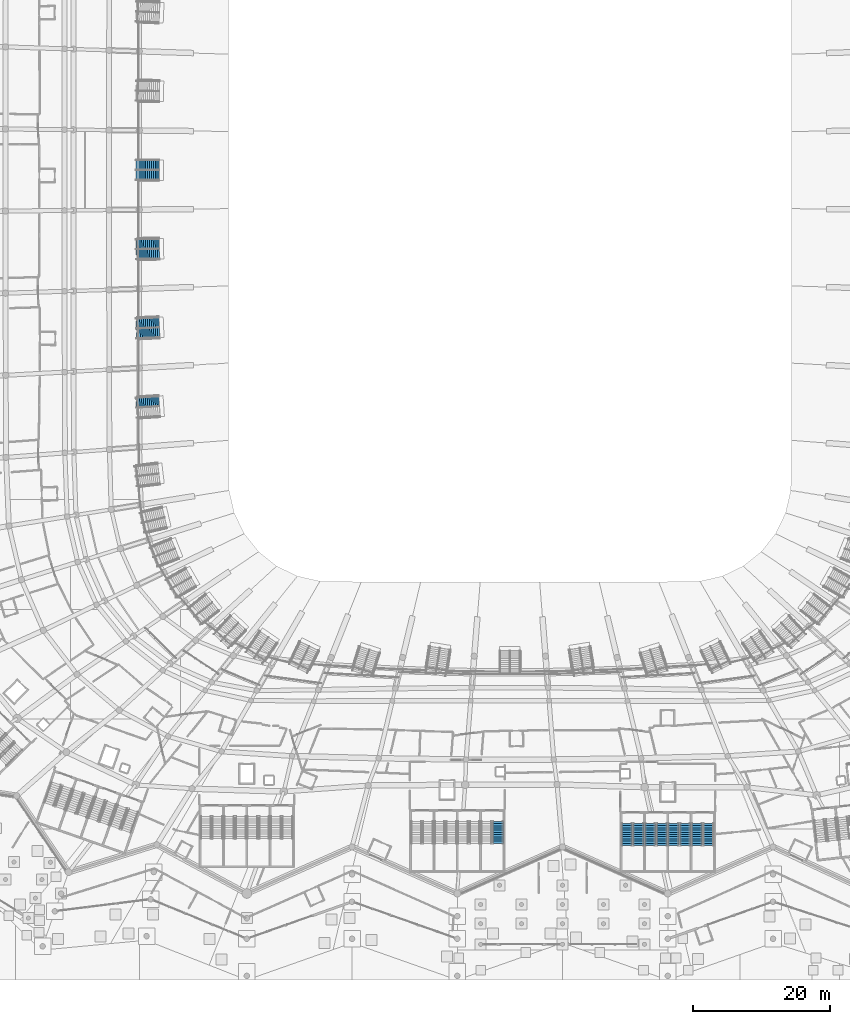
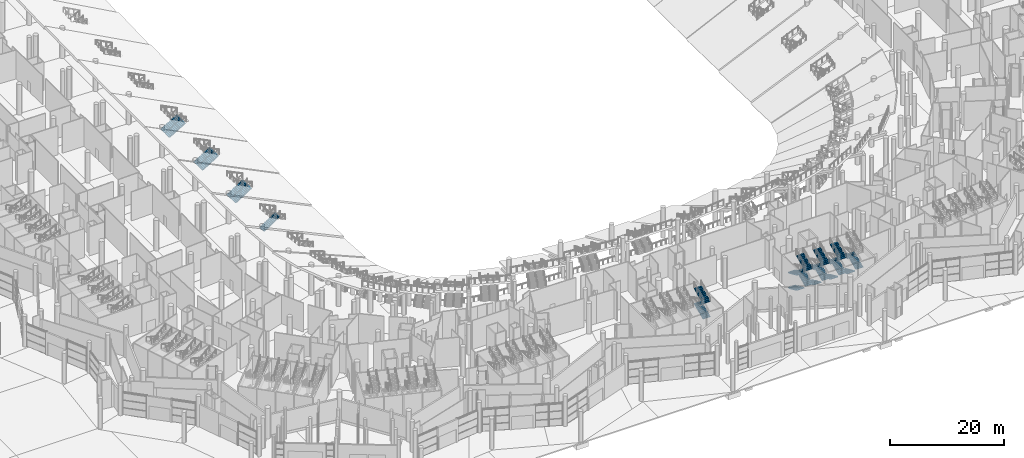
# One storey, part 165 of 255: 24 stair flights, 9 elements without a shape of their own.
"""IFC4 building model written with IfcOpenShell, lengths in metres."""

from ifc_helpers import new_model, si_unit, direction, frame, origin, place, context, subcontext, project, spatial, polyline, outline, extrude, material, type_object, element, aggregate, save


model = new_model("IFC4")

# Units and contexts
model_context = context("Model", 3, precision=1e-05, world=origin(), true_north=direction((0.0, 1.0)))
body_context = subcontext(model_context, "Body", "Model", "MODEL_VIEW")
ifc_project = project(units=[si_unit("LENGTHUNIT", "METRE"), si_unit("AREAUNIT", "SQUARE_METRE"), si_unit("VOLUMEUNIT", "CUBIC_METRE"), si_unit("PLANEANGLEUNIT", "RADIAN"), si_unit("MASSUNIT", "GRAM", prefix="KILO")], contexts=[model_context])

# Site, building, storey
site_placement = place(None, origin())
site = spatial("IfcSite", under=ifc_project, at=site_placement, CompositionType="ELEMENT")
building_placement = place(site_placement, origin())
building = spatial("IfcBuilding", under=site, at=building_placement, Name="Meseta Stadium", CompositionType="ELEMENT")
storey_placement = place(building_placement, origin())
storey = spatial("IfcBuildingStorey", under=building, at=storey_placement, Name="L00", CompositionType="ELEMENT", Elevation=0.0)

# Stair, stair flights
ifc_material_1 = material(Name="Concrete C40/50", Category="concrete")
stair_type_1 = type_object("IfcStairType", Name="Exit stair 4 flights 148 mm risers", PredefinedType="HALF_TURN_STAIR", material=ifc_material_1)
stair_1_placement = place(storey_placement, origin())
stair_1 = element("IfcStair", 1, at=stair_1_placement, inside=storey, type_object=stair_type_1, Name="ST96 L00", PredefinedType="HALF_TURN_STAIR")
ifc_material_2 = material(Name="Concrete C40/50", Category="concrete")
stair_flight_type_1 = type_object("IfcStairFlightType", Name="Exit stair flight 148 mm risers, 4 per storey", PredefinedType="STRAIGHT", material=ifc_material_2)
stair_flight_1_placement = place(storey_placement, frame((-1.716552734375, -98.10009765625, 1.625), z_axis=(0.0, 0.0, 1.0), x_axis=(0.0, 1.0, 0.0)))
stair_flight_1 = element("IfcStairFlight", 2, at=stair_flight_1_placement, type_object=stair_flight_type_1, Name="ST96 L00 flight 2", NumberOfRisers=11, NumberOfTreads=10, PredefinedType="STRAIGHT", RiserHeight=0.147727273, TreadLength=0.32, context=body_context, shape_type="SweptSolid", body=[
    extrude(outline(polyline([(0.0, 0.0), (0.0, 0.147705078125), (0.320068359375, 0.147705078125), (0.320068359375, 0.29541015625), (0.639892578125, 0.29541015625), (0.639892578125, 0.443115234375), (0.9599609375, 0.443115234375), (0.9599609375, 0.5908203125), (1.280029296875, 0.5908203125), (1.280029296875, 0.738525390625), (1.60009765625, 0.738525390625), (1.60009765625, 0.886474609375), (1.919921875, 0.886474609375), (1.919921875, 1.0341796875), (2.239990234375, 1.0341796875), (2.239990234375, 1.181884765625), (2.56005859375, 1.181884765625), (2.56005859375, 1.32958984375), (2.8798828125, 1.32958984375), (2.8798828125, 1.477294921875), (3.199951171875, 1.477294921875), (3.199951171875, 1.312255859375), (0.357666015625, 0.0), (0.0, 0.0)])), frame((0.0, 0.75, 0.0), z_axis=(0.0, -1.0, 0.0), x_axis=(1.0, 0.0, 0.0)), (0.0, 0.0, 1.0), 1.5),
])
stair_flight_2_placement = place(storey_placement, frame((-1.716552734375, -98.10009765625, 4.875), z_axis=(0.0, 0.0, 1.0), x_axis=(0.0, 1.0, 0.0)))
stair_flight_2 = element("IfcStairFlight", 3, at=stair_flight_2_placement, type_object=stair_flight_type_1, Name="ST96 L00 flight 4", NumberOfRisers=11, NumberOfTreads=10, PredefinedType="STRAIGHT", RiserHeight=0.147727273, TreadLength=0.32, context=body_context, shape_type="SweptSolid", body=[
    extrude(outline(polyline([(0.0, 0.0), (0.0, 0.147705078125), (0.320068359375, 0.147705078125), (0.320068359375, 0.29541015625), (0.639892578125, 0.29541015625), (0.639892578125, 0.443115234375), (0.9599609375, 0.443115234375), (0.9599609375, 0.5908203125), (1.280029296875, 0.5908203125), (1.280029296875, 0.738525390625), (1.60009765625, 0.738525390625), (1.60009765625, 0.886474609375), (1.919921875, 0.886474609375), (1.919921875, 1.0341796875), (2.239990234375, 1.0341796875), (2.239990234375, 1.181884765625), (2.56005859375, 1.181884765625), (2.56005859375, 1.32958984375), (2.8798828125, 1.32958984375), (2.8798828125, 1.477294921875), (3.199951171875, 1.477294921875), (3.199951171875, 1.312255859375), (0.357666015625, 0.0), (0.0, 0.0)])), frame((0.0, 0.75, 0.0), z_axis=(0.0, -1.0, 0.0), x_axis=(1.0, 0.0, 0.0)), (0.0, 0.0, 1.0), 1.5),
])
aggregate(stair_1, [stair_flight_1, stair_flight_2])

stair_2_placement = place(storey_placement, origin())
stair_2 = element("IfcStair", 4, at=stair_2_placement, inside=storey, type_object=stair_type_1, Name="ST97 L00", PredefinedType="HALF_TURN_STAIR")
stair_flight_3_placement = place(storey_placement, frame((17.050048828125, -95.199951171875, 0.0), z_axis=(0.0, 0.0, 1.0), x_axis=(0.0, -1.0, 0.0)))
stair_flight_3 = element("IfcStairFlight", 5, at=stair_flight_3_placement, type_object=stair_flight_type_1, Name="ST97 L00 flight 1", NumberOfRisers=11, NumberOfTreads=10, PredefinedType="STRAIGHT", RiserHeight=0.147727273, TreadLength=0.32, context=body_context, shape_type="SweptSolid", body=[
    extrude(outline(polyline([(0.0, 0.0), (0.0, 0.147705078125), (0.320068359375, 0.147705078125), (0.320068359375, 0.29541015625), (0.639892578125, 0.29541015625), (0.639892578125, 0.443115234375), (0.9599609375, 0.443115234375), (0.9599609375, 0.5908203125), (1.280029296875, 0.5908203125), (1.280029296875, 0.738525390625), (1.60009765625, 0.738525390625), (1.60009765625, 0.886474609375), (1.919921875, 0.886474609375), (1.919921875, 1.0341796875), (2.239990234375, 1.0341796875), (2.239990234375, 1.181884765625), (2.56005859375, 1.181884765625), (2.56005859375, 1.32958984375), (2.8798828125, 1.32958984375), (2.8798828125, 1.477294921875), (3.199951171875, 1.477294921875), (3.199951171875, 1.312255859375), (0.357666015625, 0.0), (0.0, 0.0)])), frame((0.0, 0.75, 0.0), z_axis=(0.0, -1.0, 0.0), x_axis=(1.0, 0.0, 0.0)), (0.0, 0.0, 1.0), 1.5),
])
stair_flight_4_placement = place(storey_placement, frame((18.75, -98.39990234375, 1.625), z_axis=(0.0, 0.0, 1.0), x_axis=(0.0, 1.0, 0.0)))
stair_flight_4 = element("IfcStairFlight", 6, at=stair_flight_4_placement, type_object=stair_flight_type_1, Name="ST97 L00 flight 2", NumberOfRisers=11, NumberOfTreads=10, PredefinedType="STRAIGHT", RiserHeight=0.147727273, TreadLength=0.32, context=body_context, shape_type="SweptSolid", body=[
    extrude(outline(polyline([(0.0, 0.0), (0.0, 0.147705078125), (0.320068359375, 0.147705078125), (0.320068359375, 0.29541015625), (0.639892578125, 0.29541015625), (0.639892578125, 0.443115234375), (0.9599609375, 0.443115234375), (0.9599609375, 0.5908203125), (1.280029296875, 0.5908203125), (1.280029296875, 0.738525390625), (1.60009765625, 0.738525390625), (1.60009765625, 0.886474609375), (1.919921875, 0.886474609375), (1.919921875, 1.0341796875), (2.239990234375, 1.0341796875), (2.239990234375, 1.181884765625), (2.56005859375, 1.181884765625), (2.56005859375, 1.32958984375), (2.8798828125, 1.32958984375), (2.8798828125, 1.477294921875), (3.199951171875, 1.477294921875), (3.199951171875, 1.312255859375), (0.357666015625, 0.0), (0.0, 0.0)])), frame((0.0, 0.75, 0.0), z_axis=(0.0, -1.0, 0.0), x_axis=(1.0, 0.0, 0.0)), (0.0, 0.0, 1.0), 1.5),
])
stair_flight_5_placement = place(storey_placement, frame((17.050048828125, -95.199951171875, 3.25), z_axis=(0.0, 0.0, 1.0), x_axis=(0.0, -1.0, 0.0)))
stair_flight_5 = element("IfcStairFlight", 7, at=stair_flight_5_placement, type_object=stair_flight_type_1, Name="ST97 L00 flight 3", NumberOfRisers=11, NumberOfTreads=10, PredefinedType="STRAIGHT", RiserHeight=0.147727273, TreadLength=0.32, context=body_context, shape_type="SweptSolid", body=[
    extrude(outline(polyline([(0.0, 0.0), (0.0, 0.147705078125), (0.320068359375, 0.147705078125), (0.320068359375, 0.29541015625), (0.639892578125, 0.29541015625), (0.639892578125, 0.443115234375), (0.9599609375, 0.443115234375), (0.9599609375, 0.5908203125), (1.280029296875, 0.5908203125), (1.280029296875, 0.738525390625), (1.60009765625, 0.738525390625), (1.60009765625, 0.886474609375), (1.919921875, 0.886474609375), (1.919921875, 1.0341796875), (2.239990234375, 1.0341796875), (2.239990234375, 1.181884765625), (2.56005859375, 1.181884765625), (2.56005859375, 1.32958984375), (2.8798828125, 1.32958984375), (2.8798828125, 1.477294921875), (3.199951171875, 1.477294921875), (3.199951171875, 1.312255859375), (0.357666015625, 0.0), (0.0, 0.0)])), frame((0.0, 0.75, 0.0), z_axis=(0.0, -1.0, 0.0), x_axis=(1.0, 0.0, 0.0)), (0.0, 0.0, 1.0), 1.5),
])
stair_flight_6_placement = place(storey_placement, frame((18.75, -98.39990234375, 4.875), z_axis=(0.0, 0.0, 1.0), x_axis=(0.0, 1.0, 0.0)))
stair_flight_6 = element("IfcStairFlight", 8, at=stair_flight_6_placement, type_object=stair_flight_type_1, Name="ST97 L00 flight 4", NumberOfRisers=11, NumberOfTreads=10, PredefinedType="STRAIGHT", RiserHeight=0.147727273, TreadLength=0.32, context=body_context, shape_type="SweptSolid", body=[
    extrude(outline(polyline([(0.0, 0.0), (0.0, 0.147705078125), (0.320068359375, 0.147705078125), (0.320068359375, 0.29541015625), (0.639892578125, 0.29541015625), (0.639892578125, 0.443115234375), (0.9599609375, 0.443115234375), (0.9599609375, 0.5908203125), (1.280029296875, 0.5908203125), (1.280029296875, 0.738525390625), (1.60009765625, 0.738525390625), (1.60009765625, 0.886474609375), (1.919921875, 0.886474609375), (1.919921875, 1.0341796875), (2.239990234375, 1.0341796875), (2.239990234375, 1.181884765625), (2.56005859375, 1.181884765625), (2.56005859375, 1.32958984375), (2.8798828125, 1.32958984375), (2.8798828125, 1.477294921875), (3.199951171875, 1.477294921875), (3.199951171875, 1.312255859375), (0.357666015625, 0.0), (0.0, 0.0)])), frame((0.0, 0.75, 0.0), z_axis=(0.0, -1.0, 0.0), x_axis=(1.0, 0.0, 0.0)), (0.0, 0.0, 1.0), 1.5),
])
aggregate(stair_2, [stair_flight_3, stair_flight_4, stair_flight_5, stair_flight_6])

stair_3_placement = place(storey_placement, origin())
stair_3 = element("IfcStair", 9, at=stair_3_placement, inside=storey, type_object=stair_type_1, Name="ST98 L00", PredefinedType="HALF_TURN_STAIR")
stair_flight_7_placement = place(storey_placement, frame((20.449951171875, -95.199951171875, 0.0), z_axis=(0.0, 0.0, 1.0), x_axis=(0.0, -1.0, 0.0)))
stair_flight_7 = element("IfcStairFlight", 10, at=stair_flight_7_placement, type_object=stair_flight_type_1, Name="ST98 L00 flight 1", NumberOfRisers=11, NumberOfTreads=10, PredefinedType="STRAIGHT", RiserHeight=0.147727273, TreadLength=0.32, context=body_context, shape_type="SweptSolid", body=[
    extrude(outline(polyline([(0.0, 0.0), (0.0, 0.147705078125), (0.320068359375, 0.147705078125), (0.320068359375, 0.29541015625), (0.639892578125, 0.29541015625), (0.639892578125, 0.443115234375), (0.9599609375, 0.443115234375), (0.9599609375, 0.5908203125), (1.280029296875, 0.5908203125), (1.280029296875, 0.738525390625), (1.60009765625, 0.738525390625), (1.60009765625, 0.886474609375), (1.919921875, 0.886474609375), (1.919921875, 1.0341796875), (2.239990234375, 1.0341796875), (2.239990234375, 1.181884765625), (2.56005859375, 1.181884765625), (2.56005859375, 1.32958984375), (2.8798828125, 1.32958984375), (2.8798828125, 1.477294921875), (3.199951171875, 1.477294921875), (3.199951171875, 1.312255859375), (0.357666015625, 0.0), (0.0, 0.0)])), frame((0.0, 0.75, 0.0), z_axis=(0.0, -1.0, 0.0), x_axis=(1.0, 0.0, 0.0)), (0.0, 0.0, 1.0), 1.5),
])
stair_flight_8_placement = place(storey_placement, frame((22.14990234375, -98.39990234375, 1.625), z_axis=(0.0, 0.0, 1.0), x_axis=(0.0, 1.0, 0.0)))
stair_flight_8 = element("IfcStairFlight", 11, at=stair_flight_8_placement, type_object=stair_flight_type_1, Name="ST98 L00 flight 2", NumberOfRisers=11, NumberOfTreads=10, PredefinedType="STRAIGHT", RiserHeight=0.147727273, TreadLength=0.32, context=body_context, shape_type="SweptSolid", body=[
    extrude(outline(polyline([(0.0, 0.0), (0.0, 0.147705078125), (0.320068359375, 0.147705078125), (0.320068359375, 0.29541015625), (0.639892578125, 0.29541015625), (0.639892578125, 0.443115234375), (0.9599609375, 0.443115234375), (0.9599609375, 0.5908203125), (1.280029296875, 0.5908203125), (1.280029296875, 0.738525390625), (1.60009765625, 0.738525390625), (1.60009765625, 0.886474609375), (1.919921875, 0.886474609375), (1.919921875, 1.0341796875), (2.239990234375, 1.0341796875), (2.239990234375, 1.181884765625), (2.56005859375, 1.181884765625), (2.56005859375, 1.32958984375), (2.8798828125, 1.32958984375), (2.8798828125, 1.477294921875), (3.199951171875, 1.477294921875), (3.199951171875, 1.312255859375), (0.357666015625, 0.0), (0.0, 0.0)])), frame((0.0, 0.75, 0.0), z_axis=(0.0, -1.0, 0.0), x_axis=(1.0, 0.0, 0.0)), (0.0, 0.0, 1.0), 1.5),
])
stair_flight_9_placement = place(storey_placement, frame((20.449951171875, -95.199951171875, 3.25), z_axis=(0.0, 0.0, 1.0), x_axis=(0.0, -1.0, 0.0)))
stair_flight_9 = element("IfcStairFlight", 12, at=stair_flight_9_placement, type_object=stair_flight_type_1, Name="ST98 L00 flight 3", NumberOfRisers=11, NumberOfTreads=10, PredefinedType="STRAIGHT", RiserHeight=0.147727273, TreadLength=0.32, context=body_context, shape_type="SweptSolid", body=[
    extrude(outline(polyline([(0.0, 0.0), (0.0, 0.147705078125), (0.320068359375, 0.147705078125), (0.320068359375, 0.29541015625), (0.639892578125, 0.29541015625), (0.639892578125, 0.443115234375), (0.9599609375, 0.443115234375), (0.9599609375, 0.5908203125), (1.280029296875, 0.5908203125), (1.280029296875, 0.738525390625), (1.60009765625, 0.738525390625), (1.60009765625, 0.886474609375), (1.919921875, 0.886474609375), (1.919921875, 1.0341796875), (2.239990234375, 1.0341796875), (2.239990234375, 1.181884765625), (2.56005859375, 1.181884765625), (2.56005859375, 1.32958984375), (2.8798828125, 1.32958984375), (2.8798828125, 1.477294921875), (3.199951171875, 1.477294921875), (3.199951171875, 1.312255859375), (0.357666015625, 0.0), (0.0, 0.0)])), frame((0.0, 0.75, 0.0), z_axis=(0.0, -1.0, 0.0), x_axis=(1.0, 0.0, 0.0)), (0.0, 0.0, 1.0), 1.5),
])
stair_flight_10_placement = place(storey_placement, frame((22.14990234375, -98.39990234375, 4.875), z_axis=(0.0, 0.0, 1.0), x_axis=(0.0, 1.0, 0.0)))
stair_flight_10 = element("IfcStairFlight", 13, at=stair_flight_10_placement, type_object=stair_flight_type_1, Name="ST98 L00 flight 4", NumberOfRisers=11, NumberOfTreads=10, PredefinedType="STRAIGHT", RiserHeight=0.147727273, TreadLength=0.32, context=body_context, shape_type="SweptSolid", body=[
    extrude(outline(polyline([(0.0, 0.0), (0.0, 0.147705078125), (0.320068359375, 0.147705078125), (0.320068359375, 0.29541015625), (0.639892578125, 0.29541015625), (0.639892578125, 0.443115234375), (0.9599609375, 0.443115234375), (0.9599609375, 0.5908203125), (1.280029296875, 0.5908203125), (1.280029296875, 0.738525390625), (1.60009765625, 0.738525390625), (1.60009765625, 0.886474609375), (1.919921875, 0.886474609375), (1.919921875, 1.0341796875), (2.239990234375, 1.0341796875), (2.239990234375, 1.181884765625), (2.56005859375, 1.181884765625), (2.56005859375, 1.32958984375), (2.8798828125, 1.32958984375), (2.8798828125, 1.477294921875), (3.199951171875, 1.477294921875), (3.199951171875, 1.312255859375), (0.357666015625, 0.0), (0.0, 0.0)])), frame((0.0, 0.75, 0.0), z_axis=(0.0, -1.0, 0.0), x_axis=(1.0, 0.0, 0.0)), (0.0, 0.0, 1.0), 1.5),
])
aggregate(stair_3, [stair_flight_7, stair_flight_8, stair_flight_9, stair_flight_10])

stair_4_placement = place(storey_placement, origin())
stair_4 = element("IfcStair", 14, at=stair_4_placement, inside=storey, type_object=stair_type_1, Name="ST99 L00", PredefinedType="HALF_TURN_STAIR")
stair_flight_11_placement = place(storey_placement, frame((23.85009765625, -95.199951171875, 0.0), z_axis=(0.0, 0.0, 1.0), x_axis=(0.0, -1.0, 0.0)))
stair_flight_11 = element("IfcStairFlight", 15, at=stair_flight_11_placement, type_object=stair_flight_type_1, Name="ST99 L00 flight 1", NumberOfRisers=11, NumberOfTreads=10, PredefinedType="STRAIGHT", RiserHeight=0.147727273, TreadLength=0.32, context=body_context, shape_type="SweptSolid", body=[
    extrude(outline(polyline([(0.0, 0.0), (0.0, 0.147705078125), (0.320068359375, 0.147705078125), (0.320068359375, 0.29541015625), (0.639892578125, 0.29541015625), (0.639892578125, 0.443115234375), (0.9599609375, 0.443115234375), (0.9599609375, 0.5908203125), (1.280029296875, 0.5908203125), (1.280029296875, 0.738525390625), (1.60009765625, 0.738525390625), (1.60009765625, 0.886474609375), (1.919921875, 0.886474609375), (1.919921875, 1.0341796875), (2.239990234375, 1.0341796875), (2.239990234375, 1.181884765625), (2.56005859375, 1.181884765625), (2.56005859375, 1.32958984375), (2.8798828125, 1.32958984375), (2.8798828125, 1.477294921875), (3.199951171875, 1.477294921875), (3.199951171875, 1.312255859375), (0.357666015625, 0.0), (0.0, 0.0)])), frame((0.0, 0.75, 0.0), z_axis=(0.0, -1.0, 0.0), x_axis=(1.0, 0.0, 0.0)), (0.0, 0.0, 1.0), 1.5),
])
stair_flight_12_placement = place(storey_placement, frame((25.550048828125, -98.39990234375, 1.625), z_axis=(0.0, 0.0, 1.0), x_axis=(0.0, 1.0, 0.0)))
stair_flight_12 = element("IfcStairFlight", 16, at=stair_flight_12_placement, type_object=stair_flight_type_1, Name="ST99 L00 flight 2", NumberOfRisers=11, NumberOfTreads=10, PredefinedType="STRAIGHT", RiserHeight=0.147727273, TreadLength=0.32, context=body_context, shape_type="SweptSolid", body=[
    extrude(outline(polyline([(0.0, 0.0), (0.0, 0.147705078125), (0.320068359375, 0.147705078125), (0.320068359375, 0.29541015625), (0.639892578125, 0.29541015625), (0.639892578125, 0.443115234375), (0.9599609375, 0.443115234375), (0.9599609375, 0.5908203125), (1.280029296875, 0.5908203125), (1.280029296875, 0.738525390625), (1.60009765625, 0.738525390625), (1.60009765625, 0.886474609375), (1.919921875, 0.886474609375), (1.919921875, 1.0341796875), (2.239990234375, 1.0341796875), (2.239990234375, 1.181884765625), (2.56005859375, 1.181884765625), (2.56005859375, 1.32958984375), (2.8798828125, 1.32958984375), (2.8798828125, 1.477294921875), (3.199951171875, 1.477294921875), (3.199951171875, 1.312255859375), (0.357666015625, 0.0), (0.0, 0.0)])), frame((0.0, 0.75, 0.0), z_axis=(0.0, -1.0, 0.0), x_axis=(1.0, 0.0, 0.0)), (0.0, 0.0, 1.0), 1.5),
])
stair_flight_13_placement = place(storey_placement, frame((23.85009765625, -95.199951171875, 3.25), z_axis=(0.0, 0.0, 1.0), x_axis=(0.0, -1.0, 0.0)))
stair_flight_13 = element("IfcStairFlight", 17, at=stair_flight_13_placement, type_object=stair_flight_type_1, Name="ST99 L00 flight 3", NumberOfRisers=11, NumberOfTreads=10, PredefinedType="STRAIGHT", RiserHeight=0.147727273, TreadLength=0.32, context=body_context, shape_type="SweptSolid", body=[
    extrude(outline(polyline([(0.0, 0.0), (0.0, 0.147705078125), (0.320068359375, 0.147705078125), (0.320068359375, 0.29541015625), (0.639892578125, 0.29541015625), (0.639892578125, 0.443115234375), (0.9599609375, 0.443115234375), (0.9599609375, 0.5908203125), (1.280029296875, 0.5908203125), (1.280029296875, 0.738525390625), (1.60009765625, 0.738525390625), (1.60009765625, 0.886474609375), (1.919921875, 0.886474609375), (1.919921875, 1.0341796875), (2.239990234375, 1.0341796875), (2.239990234375, 1.181884765625), (2.56005859375, 1.181884765625), (2.56005859375, 1.32958984375), (2.8798828125, 1.32958984375), (2.8798828125, 1.477294921875), (3.199951171875, 1.477294921875), (3.199951171875, 1.312255859375), (0.357666015625, 0.0), (0.0, 0.0)])), frame((0.0, 0.75, 0.0), z_axis=(0.0, -1.0, 0.0), x_axis=(1.0, 0.0, 0.0)), (0.0, 0.0, 1.0), 1.5),
])
stair_flight_14_placement = place(storey_placement, frame((25.550048828125, -98.39990234375, 4.875), z_axis=(0.0, 0.0, 1.0), x_axis=(0.0, 1.0, 0.0)))
stair_flight_14 = element("IfcStairFlight", 18, at=stair_flight_14_placement, type_object=stair_flight_type_1, Name="ST99 L00 flight 4", NumberOfRisers=11, NumberOfTreads=10, PredefinedType="STRAIGHT", RiserHeight=0.147727273, TreadLength=0.32, context=body_context, shape_type="SweptSolid", body=[
    extrude(outline(polyline([(0.0, 0.0), (0.0, 0.147705078125), (0.320068359375, 0.147705078125), (0.320068359375, 0.29541015625), (0.639892578125, 0.29541015625), (0.639892578125, 0.443115234375), (0.9599609375, 0.443115234375), (0.9599609375, 0.5908203125), (1.280029296875, 0.5908203125), (1.280029296875, 0.738525390625), (1.60009765625, 0.738525390625), (1.60009765625, 0.886474609375), (1.919921875, 0.886474609375), (1.919921875, 1.0341796875), (2.239990234375, 1.0341796875), (2.239990234375, 1.181884765625), (2.56005859375, 1.181884765625), (2.56005859375, 1.32958984375), (2.8798828125, 1.32958984375), (2.8798828125, 1.477294921875), (3.199951171875, 1.477294921875), (3.199951171875, 1.312255859375), (0.357666015625, 0.0), (0.0, 0.0)])), frame((0.0, 0.75, 0.0), z_axis=(0.0, -1.0, 0.0), x_axis=(1.0, 0.0, 0.0)), (0.0, 0.0, 1.0), 1.5),
])
aggregate(stair_4, [stair_flight_11, stair_flight_12, stair_flight_13, stair_flight_14])

stair_5_placement = place(storey_placement, origin())
stair_5 = element("IfcStair", 19, at=stair_5_placement, inside=storey, type_object=stair_type_1, Name="ST100 L00", PredefinedType="HALF_TURN_STAIR")
stair_flight_15_placement = place(storey_placement, frame((27.25, -95.199951171875, 0.0), z_axis=(0.0, 0.0, 1.0), x_axis=(0.0, -1.0, 0.0)))
stair_flight_15 = element("IfcStairFlight", 20, at=stair_flight_15_placement, type_object=stair_flight_type_1, Name="ST100 L00 flight 1", NumberOfRisers=11, NumberOfTreads=10, PredefinedType="STRAIGHT", RiserHeight=0.147727273, TreadLength=0.32, context=body_context, shape_type="SweptSolid", body=[
    extrude(outline(polyline([(0.0, 0.0), (0.0, 0.147705078125), (0.320068359375, 0.147705078125), (0.320068359375, 0.29541015625), (0.639892578125, 0.29541015625), (0.639892578125, 0.443115234375), (0.9599609375, 0.443115234375), (0.9599609375, 0.5908203125), (1.280029296875, 0.5908203125), (1.280029296875, 0.738525390625), (1.60009765625, 0.738525390625), (1.60009765625, 0.886474609375), (1.919921875, 0.886474609375), (1.919921875, 1.0341796875), (2.239990234375, 1.0341796875), (2.239990234375, 1.181884765625), (2.56005859375, 1.181884765625), (2.56005859375, 1.32958984375), (2.8798828125, 1.32958984375), (2.8798828125, 1.477294921875), (3.199951171875, 1.477294921875), (3.199951171875, 1.312255859375), (0.357666015625, 0.0), (0.0, 0.0)])), frame((0.0, 0.75, 0.0), z_axis=(0.0, -1.0, 0.0), x_axis=(1.0, 0.0, 0.0)), (0.0, 0.0, 1.0), 1.5),
])
stair_flight_16_placement = place(storey_placement, frame((28.949951171875, -98.39990234375, 1.625), z_axis=(0.0, 0.0, 1.0), x_axis=(0.0, 1.0, 0.0)))
stair_flight_16 = element("IfcStairFlight", 21, at=stair_flight_16_placement, type_object=stair_flight_type_1, Name="ST100 L00 flight 2", NumberOfRisers=11, NumberOfTreads=10, PredefinedType="STRAIGHT", RiserHeight=0.147727273, TreadLength=0.32, context=body_context, shape_type="SweptSolid", body=[
    extrude(outline(polyline([(0.0, 0.0), (0.0, 0.147705078125), (0.320068359375, 0.147705078125), (0.320068359375, 0.29541015625), (0.639892578125, 0.29541015625), (0.639892578125, 0.443115234375), (0.9599609375, 0.443115234375), (0.9599609375, 0.5908203125), (1.280029296875, 0.5908203125), (1.280029296875, 0.738525390625), (1.60009765625, 0.738525390625), (1.60009765625, 0.886474609375), (1.919921875, 0.886474609375), (1.919921875, 1.0341796875), (2.239990234375, 1.0341796875), (2.239990234375, 1.181884765625), (2.56005859375, 1.181884765625), (2.56005859375, 1.32958984375), (2.8798828125, 1.32958984375), (2.8798828125, 1.477294921875), (3.199951171875, 1.477294921875), (3.199951171875, 1.312255859375), (0.357666015625, 0.0), (0.0, 0.0)])), frame((0.0, 0.75, 0.0), z_axis=(0.0, -1.0, 0.0), x_axis=(1.0, 0.0, 0.0)), (0.0, 0.0, 1.0), 1.5),
])
stair_flight_17_placement = place(storey_placement, frame((27.25, -95.199951171875, 3.25), z_axis=(0.0, 0.0, 1.0), x_axis=(0.0, -1.0, 0.0)))
stair_flight_17 = element("IfcStairFlight", 22, at=stair_flight_17_placement, type_object=stair_flight_type_1, Name="ST100 L00 flight 3", NumberOfRisers=11, NumberOfTreads=10, PredefinedType="STRAIGHT", RiserHeight=0.147727273, TreadLength=0.32, context=body_context, shape_type="SweptSolid", body=[
    extrude(outline(polyline([(0.0, 0.0), (0.0, 0.147705078125), (0.320068359375, 0.147705078125), (0.320068359375, 0.29541015625), (0.639892578125, 0.29541015625), (0.639892578125, 0.443115234375), (0.9599609375, 0.443115234375), (0.9599609375, 0.5908203125), (1.280029296875, 0.5908203125), (1.280029296875, 0.738525390625), (1.60009765625, 0.738525390625), (1.60009765625, 0.886474609375), (1.919921875, 0.886474609375), (1.919921875, 1.0341796875), (2.239990234375, 1.0341796875), (2.239990234375, 1.181884765625), (2.56005859375, 1.181884765625), (2.56005859375, 1.32958984375), (2.8798828125, 1.32958984375), (2.8798828125, 1.477294921875), (3.199951171875, 1.477294921875), (3.199951171875, 1.312255859375), (0.357666015625, 0.0), (0.0, 0.0)])), frame((0.0, 0.75, 0.0), z_axis=(0.0, -1.0, 0.0), x_axis=(1.0, 0.0, 0.0)), (0.0, 0.0, 1.0), 1.5),
])
aggregate(stair_5, [stair_flight_15, stair_flight_16, stair_flight_17])

ifc_material_3 = material(Name="Concrete C40/50", Category="concrete")
stair_type_2 = type_object("IfcStairType", Name="Vomitory stair 3000", PredefinedType="STRAIGHT_RUN_STAIR", material=ifc_material_3)
stair_6_placement = place(storey_placement, origin())
stair_6 = element("IfcStair", 23, at=stair_6_placement, inside=storey, type_object=stair_type_2, Name="Vomitory V-lower-33", PredefinedType="STRAIGHT_RUN_STAIR")
ifc_material_4 = material(Name="Concrete C40/50", Category="concrete")
stair_flight_type_2 = type_object("IfcStairFlightType", Name="Vomitory stair flight 1450", PredefinedType="STRAIGHT", material=ifc_material_4)
stair_flight_18_placement = place(storey_placement, frame((-54.45947265625, 0.77490234375, 0.0), z_axis=(0.0, 0.0, 1.0), x_axis=(1.0, 0.0, 0.0)))
stair_flight_18 = element("IfcStairFlight", 24, at=stair_flight_18_placement, type_object=stair_flight_type_2, Name="Vomitory V-lower-33 flight 1", NumberOfRisers=13, NumberOfTreads=12, PredefinedType="STRAIGHT", RiserHeight=0.165438, TreadLength=0.28, context=body_context, shape_type="SweptSolid", body=[
    extrude(outline(polyline([(0.0, 0.0), (0.0, 0.16552734375), (0.280029296875, 0.16552734375), (0.280029296875, 0.330810546875), (0.56005859375, 0.330810546875), (0.56005859375, 0.496337890625), (0.840087890625, 0.496337890625), (0.840087890625, 0.661865234375), (1.1201171875, 0.661865234375), (1.1201171875, 0.8271484375), (1.39990234375, 0.8271484375), (1.39990234375, 0.99267578125), (1.679931640625, 0.99267578125), (1.679931640625, 1.157958984375), (1.9599609375, 1.157958984375), (1.9599609375, 1.323486328125), (2.239990234375, 1.323486328125), (2.239990234375, 1.489013671875), (2.52001953125, 1.489013671875), (2.52001953125, 1.654296875), (2.800048828125, 1.654296875), (2.800048828125, 1.81982421875), (3.080078125, 1.81982421875), (3.080078125, 1.9853515625), (3.360107421875, 1.9853515625), (3.360107421875, 1.81103515625), (0.294677734375, 0.0), (0.0, 0.0)])), frame((0.0, 0.72509765625, 0.0), z_axis=(0.0, -1.0, 0.0), x_axis=(1.0, 0.0, 0.0)), (0.0, 0.0, 1.0), 1.449951171875),
])
stair_flight_19_placement = place(storey_placement, frame((-54.45947265625, -0.77490234375, 0.0), z_axis=(0.0, 0.0, 1.0), x_axis=(1.0, 0.0, 0.0)))
stair_flight_19 = element("IfcStairFlight", 25, at=stair_flight_19_placement, type_object=stair_flight_type_2, Name="Vomitory V-lower-33 flight 2", NumberOfRisers=13, NumberOfTreads=12, PredefinedType="STRAIGHT", RiserHeight=0.165438, TreadLength=0.28, context=body_context, shape_type="SweptSolid", body=[
    extrude(outline(polyline([(0.0, 0.0), (0.0, 0.16552734375), (0.280029296875, 0.16552734375), (0.280029296875, 0.330810546875), (0.56005859375, 0.330810546875), (0.56005859375, 0.496337890625), (0.840087890625, 0.496337890625), (0.840087890625, 0.661865234375), (1.1201171875, 0.661865234375), (1.1201171875, 0.8271484375), (1.39990234375, 0.8271484375), (1.39990234375, 0.99267578125), (1.679931640625, 0.99267578125), (1.679931640625, 1.157958984375), (1.9599609375, 1.157958984375), (1.9599609375, 1.323486328125), (2.239990234375, 1.323486328125), (2.239990234375, 1.489013671875), (2.52001953125, 1.489013671875), (2.52001953125, 1.654296875), (2.800048828125, 1.654296875), (2.800048828125, 1.81982421875), (3.080078125, 1.81982421875), (3.080078125, 1.9853515625), (3.360107421875, 1.9853515625), (3.360107421875, 1.81103515625), (0.294677734375, 0.0), (0.0, 0.0)])), frame((0.0, 0.72509765625, 0.0), z_axis=(0.0, -1.0, 0.0), x_axis=(1.0, 0.0, 0.0)), (0.0, 0.0, 1.0), 1.449951171875),
])
aggregate(stair_6, [stair_flight_18, stair_flight_19])

stair_7_placement = place(storey_placement, origin())
stair_7 = element("IfcStair", 26, at=stair_7_placement, inside=storey, type_object=stair_type_2, Name="Vomitory V-lower-34", PredefinedType="STRAIGHT_RUN_STAIR")
stair_flight_20_placement = place(storey_placement, frame((-54.47314453125, -10.770263671875, 0.0), z_axis=(0.0, 0.0, 1.0), x_axis=(0.999759622364, 0.021924814479, 0.0)))
stair_flight_20 = element("IfcStairFlight", 27, at=stair_flight_20_placement, type_object=stair_flight_type_2, Name="Vomitory V-lower-34 flight 1", NumberOfRisers=13, NumberOfTreads=12, PredefinedType="STRAIGHT", RiserHeight=0.165438, TreadLength=0.28, context=body_context, shape_type="SweptSolid", body=[
    extrude(outline(polyline([(0.0, 0.0), (0.0, 0.16552734375), (0.280029296875, 0.16552734375), (0.280029296875, 0.330810546875), (0.56005859375, 0.330810546875), (0.56005859375, 0.496337890625), (0.840087890625, 0.496337890625), (0.840087890625, 0.661865234375), (1.1201171875, 0.661865234375), (1.1201171875, 0.8271484375), (1.39990234375, 0.8271484375), (1.39990234375, 0.99267578125), (1.679931640625, 0.99267578125), (1.679931640625, 1.157958984375), (1.9599609375, 1.157958984375), (1.9599609375, 1.323486328125), (2.239990234375, 1.323486328125), (2.239990234375, 1.489013671875), (2.52001953125, 1.489013671875), (2.52001953125, 1.654296875), (2.800048828125, 1.654296875), (2.800048828125, 1.81982421875), (3.080078125, 1.81982421875), (3.080078125, 1.9853515625), (3.360107421875, 1.9853515625), (3.360107421875, 1.81103515625), (0.294677734375, 0.0), (0.0, 0.0)])), frame((0.0, 0.72509765625, 0.0), z_axis=(0.0, -1.0, 0.0), x_axis=(1.0, 0.0, 0.0)), (0.0, 0.0, 1.0), 1.449951171875),
])
stair_flight_21_placement = place(storey_placement, frame((-54.439208984375, -12.31982421875, 0.0), z_axis=(0.0, 0.0, 1.0), x_axis=(0.999759622364, 0.021924814479, 0.0)))
stair_flight_21 = element("IfcStairFlight", 28, at=stair_flight_21_placement, type_object=stair_flight_type_2, Name="Vomitory V-lower-34 flight 2", NumberOfRisers=13, NumberOfTreads=12, PredefinedType="STRAIGHT", RiserHeight=0.165438, TreadLength=0.28, context=body_context, shape_type="SweptSolid", body=[
    extrude(outline(polyline([(0.0, 0.0), (0.0, 0.16552734375), (0.280029296875, 0.16552734375), (0.280029296875, 0.330810546875), (0.56005859375, 0.330810546875), (0.56005859375, 0.496337890625), (0.840087890625, 0.496337890625), (0.840087890625, 0.661865234375), (1.1201171875, 0.661865234375), (1.1201171875, 0.8271484375), (1.39990234375, 0.8271484375), (1.39990234375, 0.99267578125), (1.679931640625, 0.99267578125), (1.679931640625, 1.157958984375), (1.9599609375, 1.157958984375), (1.9599609375, 1.323486328125), (2.239990234375, 1.323486328125), (2.239990234375, 1.489013671875), (2.52001953125, 1.489013671875), (2.52001953125, 1.654296875), (2.800048828125, 1.654296875), (2.800048828125, 1.81982421875), (3.080078125, 1.81982421875), (3.080078125, 1.9853515625), (3.360107421875, 1.9853515625), (3.360107421875, 1.81103515625), (0.294677734375, 0.0), (0.0, 0.0)])), frame((0.0, 0.72509765625, 0.0), z_axis=(0.0, -1.0, 0.0), x_axis=(1.0, 0.0, 0.0)), (0.0, 0.0, 1.0), 1.449951171875),
])
aggregate(stair_7, [stair_flight_20, stair_flight_21])

stair_8_placement = place(storey_placement, origin())
stair_8 = element("IfcStair", 29, at=stair_8_placement, inside=storey, type_object=stair_type_2, Name="Vomitory V-lower-35", PredefinedType="STRAIGHT_RUN_STAIR")
stair_flight_22_placement = place(storey_placement, frame((-54.48046875, -22.3154296875, 0.0), z_axis=(0.0, 0.0, 1.0), x_axis=(0.999039522965, 0.043818164662, 0.0)))
stair_flight_22 = element("IfcStairFlight", 30, at=stair_flight_22_placement, type_object=stair_flight_type_2, Name="Vomitory V-lower-35 flight 1", NumberOfRisers=13, NumberOfTreads=12, PredefinedType="STRAIGHT", RiserHeight=0.165438, TreadLength=0.28, context=body_context, shape_type="SweptSolid", body=[
    extrude(outline(polyline([(0.0, 0.0), (0.0, 0.16552734375), (0.280029296875, 0.16552734375), (0.280029296875, 0.330810546875), (0.56005859375, 0.330810546875), (0.56005859375, 0.496337890625), (0.840087890625, 0.496337890625), (0.840087890625, 0.661865234375), (1.1201171875, 0.661865234375), (1.1201171875, 0.8271484375), (1.39990234375, 0.8271484375), (1.39990234375, 0.99267578125), (1.679931640625, 0.99267578125), (1.679931640625, 1.157958984375), (1.9599609375, 1.157958984375), (1.9599609375, 1.323486328125), (2.239990234375, 1.323486328125), (2.239990234375, 1.489013671875), (2.52001953125, 1.489013671875), (2.52001953125, 1.654296875), (2.800048828125, 1.654296875), (2.800048828125, 1.81982421875), (3.080078125, 1.81982421875), (3.080078125, 1.9853515625), (3.360107421875, 1.9853515625), (3.360107421875, 1.81103515625), (0.294677734375, 0.0), (0.0, 0.0)])), frame((0.0, 0.72509765625, 0.0), z_axis=(0.0, -1.0, 0.0), x_axis=(1.0, 0.0, 0.0)), (0.0, 0.0, 1.0), 1.449951171875),
])
stair_flight_23_placement = place(storey_placement, frame((-54.41259765625, -23.864013671875, 0.0), z_axis=(0.0, 0.0, 1.0), x_axis=(0.999039522965, 0.043818164662, 0.0)))
stair_flight_23 = element("IfcStairFlight", 31, at=stair_flight_23_placement, type_object=stair_flight_type_2, Name="Vomitory V-lower-35 flight 2", NumberOfRisers=13, NumberOfTreads=12, PredefinedType="STRAIGHT", RiserHeight=0.165438, TreadLength=0.28, context=body_context, shape_type="SweptSolid", body=[
    extrude(outline(polyline([(0.0, 0.0), (0.0, 0.16552734375), (0.280029296875, 0.16552734375), (0.280029296875, 0.330810546875), (0.56005859375, 0.330810546875), (0.56005859375, 0.496337890625), (0.840087890625, 0.496337890625), (0.840087890625, 0.661865234375), (1.1201171875, 0.661865234375), (1.1201171875, 0.8271484375), (1.39990234375, 0.8271484375), (1.39990234375, 0.99267578125), (1.679931640625, 0.99267578125), (1.679931640625, 1.157958984375), (1.9599609375, 1.157958984375), (1.9599609375, 1.323486328125), (2.239990234375, 1.323486328125), (2.239990234375, 1.489013671875), (2.52001953125, 1.489013671875), (2.52001953125, 1.654296875), (2.800048828125, 1.654296875), (2.800048828125, 1.81982421875), (3.080078125, 1.81982421875), (3.080078125, 1.9853515625), (3.360107421875, 1.9853515625), (3.360107421875, 1.81103515625), (0.294677734375, 0.0), (0.0, 0.0)])), frame((0.0, 0.72509765625, 0.0), z_axis=(0.0, -1.0, 0.0), x_axis=(1.0, 0.0, 0.0)), (0.0, 0.0, 1.0), 1.449951171875),
])
aggregate(stair_8, [stair_flight_22, stair_flight_23])

# Stair, stair flight
stair_9_placement = place(storey_placement, origin())
stair_9 = element("IfcStair", 32, at=stair_9_placement, inside=storey, type_object=stair_type_2, Name="Vomitory V-lower-36", PredefinedType="STRAIGHT_RUN_STAIR")
stair_flight_24_placement = place(storey_placement, frame((-54.481201171875, -33.860107421875, 0.0), z_axis=(0.0, 0.0, 1.0), x_axis=(0.997842912451, 0.065646950207, 0.0)))
stair_flight_24 = element("IfcStairFlight", 33, at=stair_flight_24_placement, type_object=stair_flight_type_2, Name="Vomitory V-lower-36 flight 1", NumberOfRisers=13, NumberOfTreads=12, PredefinedType="STRAIGHT", RiserHeight=0.165438, TreadLength=0.28, context=body_context, shape_type="SweptSolid", body=[
    extrude(outline(polyline([(0.0, 0.0), (0.0, 0.16552734375), (0.280029296875, 0.16552734375), (0.280029296875, 0.330810546875), (0.56005859375, 0.330810546875), (0.56005859375, 0.496337890625), (0.840087890625, 0.496337890625), (0.840087890625, 0.661865234375), (1.1201171875, 0.661865234375), (1.1201171875, 0.8271484375), (1.39990234375, 0.8271484375), (1.39990234375, 0.99267578125), (1.679931640625, 0.99267578125), (1.679931640625, 1.157958984375), (1.9599609375, 1.157958984375), (1.9599609375, 1.323486328125), (2.239990234375, 1.323486328125), (2.239990234375, 1.489013671875), (2.52001953125, 1.489013671875), (2.52001953125, 1.654296875), (2.800048828125, 1.654296875), (2.800048828125, 1.81982421875), (3.080078125, 1.81982421875), (3.080078125, 1.9853515625), (3.360107421875, 1.9853515625), (3.360107421875, 1.81103515625), (0.294677734375, 0.0), (0.0, 0.0)])), frame((0.0, 0.72509765625, 0.0), z_axis=(0.0, -1.0, 0.0), x_axis=(1.0, 0.0, 0.0)), (0.0, 0.0, 1.0), 1.449951171875),
])
aggregate(stair_9, [stair_flight_24])

save(model, "model.ifc")
